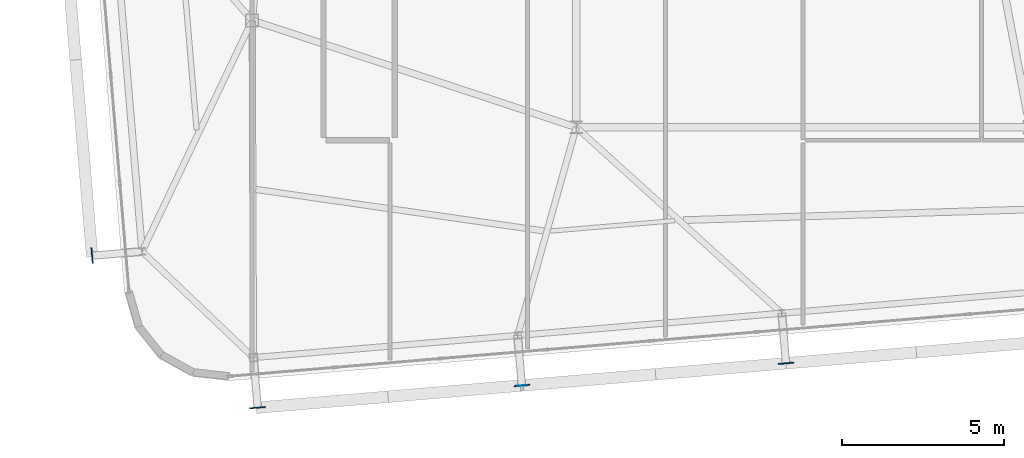
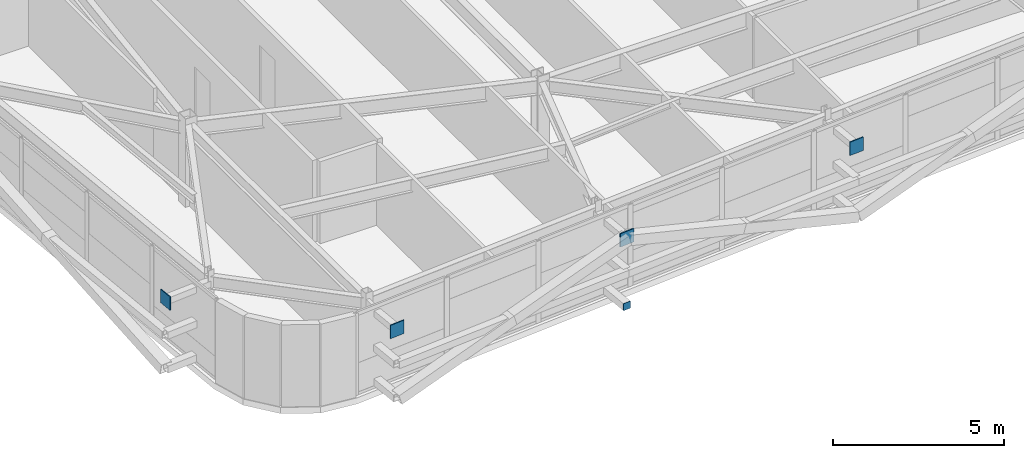
# One storey, part 34 of 44: 5 plates.
"""IFC4 building model written with IfcOpenShell, lengths in metres."""

import ifcopenshell
import ifcopenshell.guid

model = None  # the IFC model being written
_history = None  # IfcOwnerHistory: only IFC2X3 demands one
_inside = {}  # id of a spatial element -> (the spatial element, [elements in it])
_under = {}  # id of a project, library or spatial element -> (it, [spatial elements below it])
_declared = {}  # id of a project -> (the project, [libraries it declares])
_typed = {}  # id of a type object -> (the type object, [elements of that type])
_made_of = {}  # id of a material, layer set ... -> (it, [elements and type objects made of it])


def new_model(schema):
    """Start an empty IFC model of exactly this schema.

    Asked for "IFC4X3", IfcOpenShell would pick the latest addendum, in which some entities
    have other attributes; the version numbers below select the first issue.
    IFC2X3 requires an IfcOwnerHistory on every rooted entity: one is made here for all.
    """
    global model, _history
    if schema == "IFC4X3":
        model = ifcopenshell.file(schema_version=(4, 3, 0, 0))
    else:
        model = ifcopenshell.file(schema=schema)
    _inside.clear()
    _under.clear()
    _declared.clear()
    _typed.clear()
    _made_of.clear()
    _history = None
    if model.schema == "IFC2X3":
        org = make("IfcOrganization", Name="unknown")
        user = make(
            "IfcPersonAndOrganization",
            ThePerson=make("IfcPerson", FamilyName="unknown"),
            TheOrganization=org,
        )
        app = make(
            "IfcApplication",
            ApplicationDeveloper=org,
            Version="unknown",
            ApplicationFullName="unknown",
            ApplicationIdentifier="unknown",
        )
        _history = make(
            "IfcOwnerHistory",
            OwningUser=user,
            OwningApplication=app,
            ChangeAction="ADDED",
            CreationDate=0,
        )
    return model


def make(cls, **values):
    """One entity of the class cls with the attributes given. An attribute that is None is left unset."""
    return model.create_entity(
        cls, **{name: value for name, value in values.items() if value is not None}
    )


def rooted(cls, **values):
    """An entity with a GlobalId (a new one), such as an element, a storey or a relation."""
    return make(cls, GlobalId=ifcopenshell.guid.new(), OwnerHistory=_history, **values)


def si_unit(unit_type, name, prefix=None):
    """IfcSIUnit, for example si_unit("LENGTHUNIT", "METRE", prefix="MILLI")."""
    return make("IfcSIUnit", UnitType=unit_type, Prefix=prefix, Name=name)


def assignment(units):
    """IfcUnitAssignment: the units of a project."""
    return None if units is None else make("IfcUnitAssignment", Units=units)


def point(xyz):
    """IfcCartesianPoint."""
    return None if xyz is None else make("IfcCartesianPoint", Coordinates=xyz)


def direction(xyz):
    """IfcDirection."""
    return None if xyz is None else make("IfcDirection", DirectionRatios=xyz)


def frame(location, z_axis=None, x_axis=None):
    """IfcAxis2Placement3D, a coordinate frame: its origin and axes. An axis left out is left unset."""
    return make(
        "IfcAxis2Placement3D",
        Location=point(location),
        Axis=direction(z_axis),
        RefDirection=direction(x_axis),
    )


def frame_2d(location, x_axis=None):
    """IfcAxis2Placement2D, a coordinate frame in the plane: its origin and x axis."""
    return make(
        "IfcAxis2Placement2D", Location=point(location), RefDirection=direction(x_axis)
    )


def origin():
    """The frame at (0, 0, 0) with its axes left unset."""
    return frame((0.0, 0.0, 0.0))


def origin_2d():
    """The frame at (0, 0) in the plane with its x axis left unset."""
    return frame_2d((0.0, 0.0))


def place(relative_to, where):
    """IfcLocalPlacement: puts the frame where relative to a parent placement (None: the world)."""
    return make(
        "IfcLocalPlacement", PlacementRelTo=relative_to, RelativePlacement=where
    )


def context(
    kind, dimensions, precision=None, world=None, true_north=None, identifier=None
):
    """IfcGeometricRepresentationContext, for example the 3D "Model" context."""
    return make(
        "IfcGeometricRepresentationContext",
        ContextIdentifier=identifier,
        ContextType=kind,
        CoordinateSpaceDimension=dimensions,
        Precision=precision,
        WorldCoordinateSystem=world,
        TrueNorth=true_north,
    )


def subcontext(parent, identifier, kind, view, scale=None):
    """IfcGeometricRepresentationSubContext, for example "Body" below "Model"."""
    return make(
        "IfcGeometricRepresentationSubContext",
        ContextIdentifier=identifier,
        ContextType=kind,
        ParentContext=parent,
        TargetScale=scale,
        TargetView=view,
    )


def project(units=None, contexts=None):
    """IfcProject with its units and contexts."""
    return rooted(
        "IfcProject",
        Name="project",
        RepresentationContexts=contexts,
        UnitsInContext=assignment(units),
    )


def spatial(cls, under=None, at=None, **own):
    """A site, building, storey or space (cls), placed at a placement, below another one or the project."""
    s = rooted(cls, ObjectPlacement=at, **own)
    if under is not None:
        _under.setdefault(under.id(), (under, []))[1].append(s)
    return s


def profile(cls, at=None, kind="AREA", **sizes):
    """A parametric profile (cls). Its sizes go by their IFC names, for example OverallWidth=200.0."""
    return make(cls, ProfileType=kind, Position=at, **sizes)


def rectangle(**sizes):
    """IfcRectangleProfileDef."""
    return profile("IfcRectangleProfileDef", **sizes)


def extrude(swept, where, along, depth):
    """IfcExtrudedAreaSolid: the profile swept, set in the frame where, extruded along a direction by depth."""
    return make(
        "IfcExtrudedAreaSolid",
        SweptArea=swept,
        Position=where,
        ExtrudedDirection=direction(along),
        Depth=depth,
    )


def shape(context_of_items, identifier, shape_type, items):
    """IfcShapeRepresentation: the items that make up one representation, for example the "Body"."""
    return make(
        "IfcShapeRepresentation",
        ContextOfItems=context_of_items,
        RepresentationIdentifier=identifier,
        RepresentationType=shape_type,
        Items=items,
    )


def source(mapping_origin, context_of_items, identifier, shape_type, items):
    """IfcRepresentationMap: a shape defined once, which mapped items show again and again."""
    return make(
        "IfcRepresentationMap",
        MappingOrigin=mapping_origin,
        MappedRepresentation=shape(context_of_items, identifier, shape_type, items),
    )


def transform(
    local_origin,
    x_axis=None,
    y_axis=None,
    z_axis=None,
    scale=None,
    scale2=None,
    scale3=None,
    uniform=True,
):
    """IfcCartesianTransformationOperator3D, or its non-uniform kind. x_axis, y_axis, z_axis: its Axis1, 2, 3."""
    if uniform:
        return make(
            "IfcCartesianTransformationOperator3D",
            Axis1=direction(x_axis),
            Axis2=direction(y_axis),
            LocalOrigin=point(local_origin),
            Scale=scale,
            Axis3=direction(z_axis),
        )
    return make(
        "IfcCartesianTransformationOperator3DnonUniform",
        Axis1=direction(x_axis),
        Axis2=direction(y_axis),
        LocalOrigin=point(local_origin),
        Scale=scale,
        Axis3=direction(z_axis),
        Scale2=scale2,
        Scale3=scale3,
    )


def mapped(mapping_source, mapping_target):
    """IfcMappedItem: shows the shape of a source again, moved by a transform."""
    return make(
        "IfcMappedItem", MappingSource=mapping_source, MappingTarget=mapping_target
    )


def material(Name=None, Category=None):
    """IfcMaterial."""
    return make("IfcMaterial", Name=Name, Category=Category)


def layer(
    of_material, thickness, ventilated=None, Name=None, Category=None, Priority=None
):
    """IfcMaterialLayer: one layer of a wall or slab, of a material (None: an air gap)."""
    return make(
        "IfcMaterialLayer",
        Material=of_material,
        LayerThickness=thickness,
        IsVentilated=ventilated,
        Name=Name,
        Category=Category,
        Priority=Priority,
    )


def layer_set(layers, Name=None):
    """IfcMaterialLayerSet."""
    return make("IfcMaterialLayerSet", MaterialLayers=layers, LayerSetName=Name)


def made_of(thing, what):
    """Note that an element or type object is made of a material, layer set ...; save() writes the relation."""
    if what is not None:
        _made_of.setdefault(what.id(), (what, []))[1].append(thing)
    return thing


def type_object(cls, material=None, **own):
    """A type object (cls), such as IfcWallType, which elements share."""
    return made_of(rooted(cls, **own), material)


def element(
    cls,
    number,
    at=None,
    inside=None,
    cuts=None,
    type_object=None,
    material=None,
    context=None,
    identifier="Body",
    shape_type=None,
    held_by="IfcProductDefinitionShape",
    body=None,
    shapes=None,
    **own,
):
    """One element of the class cls, such as IfcWall. Its Tag is "e" and its number.

    at: its placement. inside: the storey or other place that contains it. cuts: it is an
    opening in that element (IfcRelVoidsElement). A single representation is given by context,
    identifier, shape_type and body (its items); several are given by shapes. held_by: the class
    of the entity that holds the representations. save() writes the other relations.
    """
    e = rooted(cls, Tag="e%d" % number, ObjectPlacement=at, **own)
    if body is not None:
        shapes = [shape(context, identifier, shape_type, body)]
    if shapes is not None:
        e.Representation = make(held_by, Representations=shapes)
    if inside is not None:
        _inside.setdefault(inside.id(), (inside, []))[1].append(e)
    if cuts is not None:
        rooted(
            "IfcRelVoidsElement", RelatingBuildingElement=cuts, RelatedOpeningElement=e
        )
    if type_object is not None:
        _typed.setdefault(type_object.id(), (type_object, []))[1].append(e)
    return made_of(e, material)


def aggregate(whole, parts):
    """IfcRelAggregates: a whole, such as a stair, and the parts it consists of."""
    return rooted("IfcRelAggregates", RelatingObject=whole, RelatedObjects=parts)


def save(model, path):
    """Write the relations noted so far, then the file.

    IfcRelAggregates (storeys below a building ...), IfcRelContainedInSpatialStructure (elements
    in a storey), IfcRelDefinesByType, IfcRelAssociatesMaterial and IfcRelDeclares: one each for
    every whole, place, type object, material and project.
    """
    for whole, parts in _under.values():
        aggregate(whole, parts)
    for where, things in _inside.values():
        rooted(
            "IfcRelContainedInSpatialStructure",
            RelatedElements=things,
            RelatingStructure=where,
        )
    for kind, things in _typed.values():
        rooted("IfcRelDefinesByType", RelatedObjects=things, RelatingType=kind)
    for what, things in _made_of.values():
        rooted("IfcRelAssociatesMaterial", RelatedObjects=things, RelatingMaterial=what)
    for by, libraries in _declared.values():
        rooted("IfcRelDeclares", RelatingContext=by, RelatedDefinitions=libraries)
    model.write(path)


model = new_model("IFC4")

# Units and contexts
model_context = context("Model", 3, precision=1e-05, world=origin(), true_north=direction((0.0, 1.0)))
body_context = subcontext(model_context, "Body", "Model", "MODEL_VIEW")
ifc_project = project(units=[si_unit("LENGTHUNIT", "METRE"), si_unit("AREAUNIT", "SQUARE_METRE"), si_unit("VOLUMEUNIT", "CUBIC_METRE"), si_unit("PLANEANGLEUNIT", "RADIAN"), si_unit("MASSUNIT", "GRAM", prefix="KILO")], contexts=[model_context])

# Site, building, storey
site_placement = place(None, origin())
site = spatial("IfcSite", under=ifc_project, at=site_placement, CompositionType="ELEMENT")
building_placement = place(site_placement, origin())
building = spatial("IfcBuilding", under=site, at=building_placement, Name="Taldren Reach Tower", CompositionType="ELEMENT")
storey_placement = place(building_placement, frame((0.0, 0.0, 191.449951171875)))
storey = spatial("IfcBuildingStorey", under=building, at=storey_placement, Name="L58", CompositionType="ELEMENT", Elevation=191.449951171875)

# Plates
ifc_material_1 = material(Name="Steel Gr 350 (C350L0)", Category="steel")
ifc_layer_1 = layer(ifc_material_1, 0.011962890625)
ifc_layer_set_1 = layer_set([ifc_layer_1], Name="Steel Gr 350 (C350L0)")
plate_type_1 = type_object("IfcPlateType", Name="PL-CAP-250", PredefinedType="SHEET", material=ifc_layer_set_1)
shared_shape_1 = source(origin(), body_context, "Body", "SweptSolid", [
    extrude(rectangle(XDim=0.25, YDim=0.011962890625, at=origin_2d()), origin(), (0.0, 0.0, 1.0), 0.25),
])
plate_placement = place(storey_placement, frame((26.321044921875, 1.22802734375, 0.094970703125), z_axis=(0.0, 0.0, 1.0), x_axis=(0.99649285925, 0.083677843332, 0.0)))
element("IfcPlate", 1, at=plate_placement, inside=storey, type_object=plate_type_1, Name="Tie strut end cap plate B4-S2 L58", PredefinedType="SHEET", context=body_context, shape_type="MappedRepresentation", body=[
    mapped(shared_shape_1, transform((0.0, 0.0, 0.0), scale=1.0)),
])
ifc_material_2 = material(Name="Steel Gr 450 (C450L0)", Category="steel")
ifc_layer_2 = layer(ifc_material_2, 0.031982421875)
ifc_layer_set_2 = layer_set([ifc_layer_2], Name="Steel Gr 450 (C450L0)")
plate_type_2 = type_object("IfcPlateType", Name="PL-GUSSET-32", PredefinedType="SHEET", material=ifc_layer_set_2)
shared_shape_2 = source(origin(), body_context, "Body", "SweptSolid", [
    extrude(rectangle(XDim=0.47998046875, YDim=0.031982421875, at=origin_2d()), origin(), (0.0, 0.0, 1.0), 0.47998046875),
])
for number, where, z_axis, x_axis, name in (
    (2, (18.16943359375, 0.549560546875, 2.41015625), (0.0, 0.0, 1.0), (0.99649285925, 0.083677843332, 0.0), "Exoskeleton star-node gusset plate B4-S1 L58"),
    (3, (26.320556640625, 1.23388671875, 2.41015625), (0.0, 0.0, 1.0), (0.99649285925, 0.083677843332, 0.0), "Exoskeleton star-node gusset plate B4-S2 L58"),
    (4, (34.471923828125, 1.91845703125, 2.41015625), (0.0, 0.0, 1.0), (0.99649285925, 0.083677843332, 0.0), "Exoskeleton star-node gusset plate B4-S3 L58"),
    (5, (13.05908203125, 5.23828125, 2.41015625), (0.0, 0.0, 1.0), (-0.083677843332, 0.99649285925, 0.0), "Exoskeleton star-node gusset plate B4-W1 L58"),
):
    element("IfcPlate", number, at=place(storey_placement, frame(where, z_axis=z_axis, x_axis=x_axis)), inside=storey, type_object=plate_type_2, Name=name, PredefinedType="SHEET", context=body_context, shape_type="MappedRepresentation", body=[
        mapped(shared_shape_2, transform((0.0, 0.0, 0.0), scale=1.0)),
    ])

save(model, "model.ifc")
